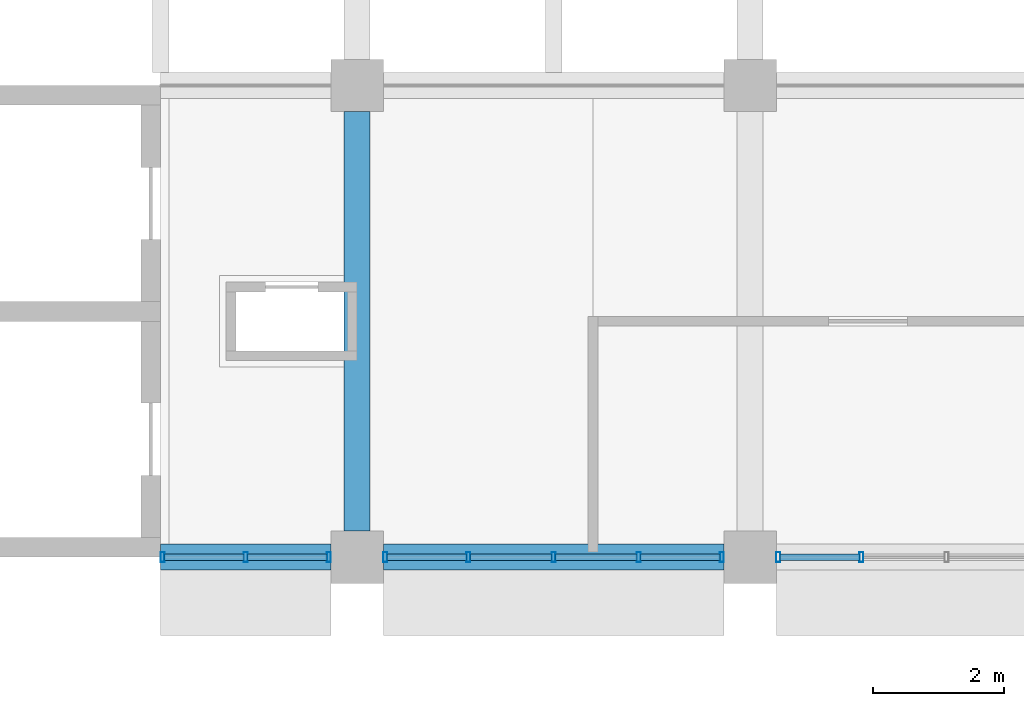
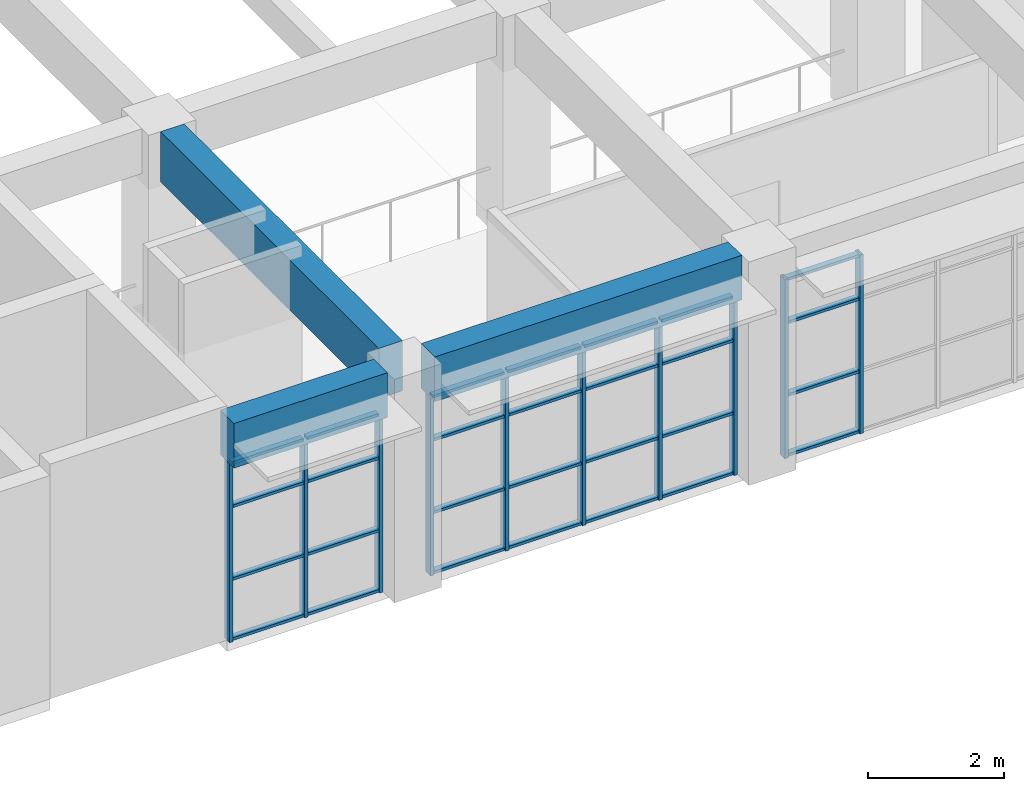
# One storey, part 10 of 47: 38 members, 3 beams, 3 elements without a shape of their own.
"""IFC4 building model written with IfcOpenShell, lengths in metres."""

from ifc_helpers import new_model, si_unit, direction, frame, origin, origin_2d, place, context, subcontext, project, spatial, rectangle, hollow_rectangle, extrude, material, material_profile, profile_set, type_object, element, aggregate, save


model = new_model("IFC4")

# Units and contexts
model_context = context("Model", 3, precision=1e-05, world=origin(), true_north=direction((0.0, 1.0)))
body_context = subcontext(model_context, "Body", "Model", "MODEL_VIEW")
ifc_project = project(units=[si_unit("LENGTHUNIT", "METRE"), si_unit("AREAUNIT", "SQUARE_METRE"), si_unit("VOLUMEUNIT", "CUBIC_METRE"), si_unit("PLANEANGLEUNIT", "RADIAN"), si_unit("MASSUNIT", "GRAM", prefix="KILO")], contexts=[model_context])

# Site, building, storey
site_placement = place(None, origin())
site = spatial("IfcSite", under=ifc_project, at=site_placement, CompositionType="ELEMENT")
building_placement = place(site_placement, origin())
building = spatial("IfcBuilding", under=site, at=building_placement, Name="Laocheng Heights Fire and Rescue Headquarters", CompositionType="ELEMENT")
storey_placement = place(building_placement, frame((0.0, 0.0, 16.800048828125)))
storey = spatial("IfcBuildingStorey", under=building, at=storey_placement, Name="L04", CompositionType="ELEMENT", Elevation=16.800048828125)

# Curtain wall, members
ifc_material_1 = material(Name="Dark anodised aluminium unitised curtain wall, low-e double glazing", Category="aluminium")
curtain_wall_type_1 = type_object("IfcCurtainWallType", Name="CW 2600 x 3200 HQ SOUTH RIBBON", PredefinedType="NOTDEFINED", material=ifc_material_1)
curtain_wall_1_placement = place(storey_placement, origin())
curtain_wall_1 = element("IfcCurtainWall", 1, at=curtain_wall_1_placement, inside=storey, type_object=curtain_wall_type_1, Name="X12-X HQ SOUTH L04", PredefinedType="NOTDEFINED")
ifc_material_2 = material(Name="Dark anodised aluminium 6063-T5 extrusion", Category="aluminium")
ifc_material_profile_1 = material_profile(ifc_material_2, hollow_rectangle(XDim=0.14990234375, YDim=0.06005859375, WallThickness=0.0029296875, at=origin_2d()), Name="AL MULLION 150x60x3 HQ SOUTH RIBBON")
ifc_profile_set_1 = profile_set([ifc_material_profile_1], Name="Dark anodised aluminium 6063-T5 extrusion")
member_type_1 = type_object("IfcMemberType", Name="AL MULLION 150x60x3 HQ SOUTH RIBBON", PredefinedType="MULLION", material=ifc_profile_set_1)
member_1_placement = place(storey_placement, frame((51.030029296875, 50.39990234375, 0.0), z_axis=(0.0, 0.0, 1.0), x_axis=(0.0, 1.0, 0.0)))
member_1 = element("IfcMember", 2, at=member_1_placement, type_object=member_type_1, Name="X12-X mullion 1", PredefinedType="MULLION", context=body_context, shape_type="SweptSolid", body=[
    extrude(hollow_rectangle(XDim=0.14990234375, YDim=0.06005859375, WallThickness=0.0029296875, at=origin_2d()), origin(), (0.0, 0.0, 1.0), 3.199951171875),
])
member_2_placement = place(storey_placement, frame((52.300048828125, 50.39990234375, 0.0), z_axis=(0.0, 0.0, 1.0), x_axis=(0.0, 1.0, 0.0)))
member_2 = element("IfcMember", 3, at=member_2_placement, type_object=member_type_1, Name="X12-X mullion 2", PredefinedType="MULLION", context=body_context, shape_type="SweptSolid", body=[
    extrude(hollow_rectangle(XDim=0.14990234375, YDim=0.06005859375, WallThickness=0.0029296875, at=origin_2d()), origin(), (0.0, 0.0, 1.0), 3.199951171875),
])
member_3_placement = place(storey_placement, frame((53.570068359375, 50.39990234375, 0.0), z_axis=(0.0, 0.0, 1.0), x_axis=(0.0, 1.0, 0.0)))
member_3 = element("IfcMember", 4, at=member_3_placement, type_object=member_type_1, Name="X12-X mullion 3", PredefinedType="MULLION", context=body_context, shape_type="SweptSolid", body=[
    extrude(hollow_rectangle(XDim=0.14990234375, YDim=0.06005859375, WallThickness=0.0029296875, at=origin_2d()), origin(), (0.0, 0.0, 1.0), 3.199951171875),
])

ifc_material_3 = material(Name="Dark anodised aluminium unitised curtain wall, low-e double glazing", Category="aluminium")
curtain_wall_type_2 = type_object("IfcCurtainWallType", Name="CW 5200 x 3200 HQ SOUTH RIBBON", PredefinedType="NOTDEFINED", material=ifc_material_3)
curtain_wall_2_placement = place(storey_placement, origin())
curtain_wall_2 = element("IfcCurtainWall", 5, at=curtain_wall_2_placement, inside=storey, type_object=curtain_wall_type_2, Name="X13-X HQ SOUTH L04", PredefinedType="NOTDEFINED")
member_4_placement = place(storey_placement, frame((54.429931640625, 50.39990234375, 0.0), z_axis=(0.0, 0.0, 1.0), x_axis=(0.0, 1.0, 0.0)))
member_4 = element("IfcMember", 6, at=member_4_placement, type_object=member_type_1, Name="X13-X mullion 1", PredefinedType="MULLION", context=body_context, shape_type="SweptSolid", body=[
    extrude(hollow_rectangle(XDim=0.14990234375, YDim=0.06005859375, WallThickness=0.0029296875, at=origin_2d()), origin(), (0.0, 0.0, 1.0), 3.199951171875),
])
member_5_placement = place(storey_placement, frame((55.699951171875, 50.39990234375, 0.0), z_axis=(0.0, 0.0, 1.0), x_axis=(0.0, 1.0, 0.0)))
member_5 = element("IfcMember", 7, at=member_5_placement, type_object=member_type_1, Name="X13-X mullion 2", PredefinedType="MULLION", context=body_context, shape_type="SweptSolid", body=[
    extrude(hollow_rectangle(XDim=0.14990234375, YDim=0.06005859375, WallThickness=0.0029296875, at=origin_2d()), origin(), (0.0, 0.0, 1.0), 3.199951171875),
])
member_6_placement = place(storey_placement, frame((57.0, 50.39990234375, 0.0), z_axis=(0.0, 0.0, 1.0), x_axis=(0.0, 1.0, 0.0)))
member_6 = element("IfcMember", 8, at=member_6_placement, type_object=member_type_1, Name="X13-X mullion 3", PredefinedType="MULLION", context=body_context, shape_type="SweptSolid", body=[
    extrude(hollow_rectangle(XDim=0.14990234375, YDim=0.06005859375, WallThickness=0.0029296875, at=origin_2d()), origin(), (0.0, 0.0, 1.0), 3.199951171875),
])
member_7_placement = place(storey_placement, frame((58.300048828125, 50.39990234375, 0.0), z_axis=(0.0, 0.0, 1.0), x_axis=(0.0, 1.0, 0.0)))
member_7 = element("IfcMember", 9, at=member_7_placement, type_object=member_type_1, Name="X13-X mullion 4", PredefinedType="MULLION", context=body_context, shape_type="SweptSolid", body=[
    extrude(hollow_rectangle(XDim=0.14990234375, YDim=0.06005859375, WallThickness=0.0029296875, at=origin_2d()), origin(), (0.0, 0.0, 1.0), 3.199951171875),
])
member_8_placement = place(storey_placement, frame((59.570068359375, 50.39990234375, 0.0), z_axis=(0.0, 0.0, 1.0), x_axis=(0.0, 1.0, 0.0)))
member_8 = element("IfcMember", 10, at=member_8_placement, type_object=member_type_1, Name="X13-X mullion 5", PredefinedType="MULLION", context=body_context, shape_type="SweptSolid", body=[
    extrude(hollow_rectangle(XDim=0.14990234375, YDim=0.06005859375, WallThickness=0.0029296875, at=origin_2d()), origin(), (0.0, 0.0, 1.0), 3.199951171875),
])

curtain_wall_3_placement = place(storey_placement, origin())
curtain_wall_3 = element("IfcCurtainWall", 11, at=curtain_wall_3_placement, inside=storey, type_object=curtain_wall_type_2, Name="X13-X HQ SOUTH L04", PredefinedType="NOTDEFINED")
member_9_placement = place(storey_placement, frame((60.429931640625, 50.39990234375, 0.0), z_axis=(0.0, 0.0, 1.0), x_axis=(0.0, 1.0, 0.0)))
member_9 = element("IfcMember", 12, at=member_9_placement, type_object=member_type_1, Name="X13-X mullion 1", PredefinedType="MULLION", context=body_context, shape_type="SweptSolid", body=[
    extrude(hollow_rectangle(XDim=0.14990234375, YDim=0.06005859375, WallThickness=0.0029296875, at=origin_2d()), origin(), (0.0, 0.0, 1.0), 3.199951171875),
])
member_10_placement = place(storey_placement, frame((61.699951171875, 50.39990234375, 0.0), z_axis=(0.0, 0.0, 1.0), x_axis=(0.0, 1.0, 0.0)))
member_10 = element("IfcMember", 13, at=member_10_placement, type_object=member_type_1, Name="X13-X mullion 2", PredefinedType="MULLION", context=body_context, shape_type="SweptSolid", body=[
    extrude(hollow_rectangle(XDim=0.14990234375, YDim=0.06005859375, WallThickness=0.0029296875, at=origin_2d()), origin(), (0.0, 0.0, 1.0), 3.199951171875),
])

# Member
ifc_material_4 = material(Name="Dark anodised aluminium 6063-T5 extrusion", Category="aluminium")
ifc_material_profile_2 = material_profile(ifc_material_4, hollow_rectangle(XDim=0.10009765625, YDim=0.050048828125, WallThickness=0.0029296875, at=origin_2d()), Name="AL TRANSOM 100x50x3 HQ SOUTH RIBBON")
ifc_profile_set_2 = profile_set([ifc_material_profile_2], Name="Dark anodised aluminium 6063-T5 extrusion")
member_type_2 = type_object("IfcMemberType", Name="AL TRANSOM 100x50x3 HQ SOUTH RIBBON", PredefinedType="USERDEFINED", material=ifc_profile_set_2)
member_11_placement = place(storey_placement, frame((51.06005859375, 50.39990234375, 0.02490234375), z_axis=(1.0, 0.0, 0.0), x_axis=(0.0, 1.0, 0.0)))
member_11 = element("IfcMember", 14, at=member_11_placement, type_object=member_type_2, Name="X12-X transom 1.1", ObjectType="TRANSOM", PredefinedType="USERDEFINED", context=body_context, shape_type="SweptSolid", body=[
    extrude(hollow_rectangle(XDim=0.10009765625, YDim=0.050048828125, WallThickness=0.0029296875, at=origin_2d()), origin(), (0.0, 0.0, 1.0), 1.2099609375),
])

member_12_placement = place(storey_placement, frame((51.06005859375, 50.39990234375, 1.099853515625), z_axis=(1.0, 0.0, 0.0), x_axis=(0.0, 1.0, 0.0)))
member_12 = element("IfcMember", 15, at=member_12_placement, type_object=member_type_2, Name="X12-X transom 1.2", ObjectType="TRANSOM", PredefinedType="USERDEFINED", context=body_context, shape_type="SweptSolid", body=[
    extrude(hollow_rectangle(XDim=0.10009765625, YDim=0.050048828125, WallThickness=0.0029296875, at=origin_2d()), origin(), (0.0, 0.0, 1.0), 1.2099609375),
])

member_13_placement = place(storey_placement, frame((51.06005859375, 50.39990234375, 2.39990234375), z_axis=(1.0, 0.0, 0.0), x_axis=(0.0, 1.0, 0.0)))
member_13 = element("IfcMember", 16, at=member_13_placement, type_object=member_type_2, Name="X12-X transom 1.3", ObjectType="TRANSOM", PredefinedType="USERDEFINED", context=body_context, shape_type="SweptSolid", body=[
    extrude(hollow_rectangle(XDim=0.10009765625, YDim=0.050048828125, WallThickness=0.0029296875, at=origin_2d()), origin(), (0.0, 0.0, 1.0), 1.2099609375),
])

member_14_placement = place(storey_placement, frame((51.06005859375, 50.39990234375, 3.175048828125), z_axis=(1.0, 0.0, 0.0), x_axis=(0.0, 1.0, 0.0)))
member_14 = element("IfcMember", 17, at=member_14_placement, type_object=member_type_2, Name="X12-X transom 1.4", ObjectType="TRANSOM", PredefinedType="USERDEFINED", context=body_context, shape_type="SweptSolid", body=[
    extrude(hollow_rectangle(XDim=0.10009765625, YDim=0.050048828125, WallThickness=0.0029296875, at=origin_2d()), origin(), (0.0, 0.0, 1.0), 1.2099609375),
])

member_15_placement = place(storey_placement, frame((52.330078125, 50.39990234375, 0.02490234375), z_axis=(1.0, 0.0, 0.0), x_axis=(0.0, 1.0, 0.0)))
member_15 = element("IfcMember", 18, at=member_15_placement, type_object=member_type_2, Name="X12-X transom 2.1", ObjectType="TRANSOM", PredefinedType="USERDEFINED", context=body_context, shape_type="SweptSolid", body=[
    extrude(hollow_rectangle(XDim=0.10009765625, YDim=0.050048828125, WallThickness=0.0029296875, at=origin_2d()), origin(), (0.0, 0.0, 1.0), 1.2099609375),
])

member_16_placement = place(storey_placement, frame((52.330078125, 50.39990234375, 1.099853515625), z_axis=(1.0, 0.0, 0.0), x_axis=(0.0, 1.0, 0.0)))
member_16 = element("IfcMember", 19, at=member_16_placement, type_object=member_type_2, Name="X12-X transom 2.2", ObjectType="TRANSOM", PredefinedType="USERDEFINED", context=body_context, shape_type="SweptSolid", body=[
    extrude(hollow_rectangle(XDim=0.10009765625, YDim=0.050048828125, WallThickness=0.0029296875, at=origin_2d()), origin(), (0.0, 0.0, 1.0), 1.2099609375),
])

member_17_placement = place(storey_placement, frame((52.330078125, 50.39990234375, 2.39990234375), z_axis=(1.0, 0.0, 0.0), x_axis=(0.0, 1.0, 0.0)))
member_17 = element("IfcMember", 20, at=member_17_placement, type_object=member_type_2, Name="X12-X transom 2.3", ObjectType="TRANSOM", PredefinedType="USERDEFINED", context=body_context, shape_type="SweptSolid", body=[
    extrude(hollow_rectangle(XDim=0.10009765625, YDim=0.050048828125, WallThickness=0.0029296875, at=origin_2d()), origin(), (0.0, 0.0, 1.0), 1.2099609375),
])

member_18_placement = place(storey_placement, frame((52.330078125, 50.39990234375, 3.175048828125), z_axis=(1.0, 0.0, 0.0), x_axis=(0.0, 1.0, 0.0)))
member_18 = element("IfcMember", 21, at=member_18_placement, type_object=member_type_2, Name="X12-X transom 2.4", ObjectType="TRANSOM", PredefinedType="USERDEFINED", context=body_context, shape_type="SweptSolid", body=[
    extrude(hollow_rectangle(XDim=0.10009765625, YDim=0.050048828125, WallThickness=0.0029296875, at=origin_2d()), origin(), (0.0, 0.0, 1.0), 1.2099609375),
])

aggregate(curtain_wall_1, [member_1, member_2, member_3, member_11, member_12, member_13, member_14, member_15, member_16, member_17, member_18])

member_19_placement = place(storey_placement, frame((54.4599609375, 50.39990234375, 0.02490234375), z_axis=(1.0, 0.0, 0.0), x_axis=(0.0, 1.0, 0.0)))
member_19 = element("IfcMember", 22, at=member_19_placement, type_object=member_type_2, Name="X13-X transom 1.1", ObjectType="TRANSOM", PredefinedType="USERDEFINED", context=body_context, shape_type="SweptSolid", body=[
    extrude(hollow_rectangle(XDim=0.10009765625, YDim=0.050048828125, WallThickness=0.0029296875, at=origin_2d()), origin(), (0.0, 0.0, 1.0), 1.2099609375),
])

member_20_placement = place(storey_placement, frame((54.4599609375, 50.39990234375, 1.099853515625), z_axis=(1.0, 0.0, 0.0), x_axis=(0.0, 1.0, 0.0)))
member_20 = element("IfcMember", 23, at=member_20_placement, type_object=member_type_2, Name="X13-X transom 1.2", ObjectType="TRANSOM", PredefinedType="USERDEFINED", context=body_context, shape_type="SweptSolid", body=[
    extrude(hollow_rectangle(XDim=0.10009765625, YDim=0.050048828125, WallThickness=0.0029296875, at=origin_2d()), origin(), (0.0, 0.0, 1.0), 1.2099609375),
])

member_21_placement = place(storey_placement, frame((54.4599609375, 50.39990234375, 2.39990234375), z_axis=(1.0, 0.0, 0.0), x_axis=(0.0, 1.0, 0.0)))
member_21 = element("IfcMember", 24, at=member_21_placement, type_object=member_type_2, Name="X13-X transom 1.3", ObjectType="TRANSOM", PredefinedType="USERDEFINED", context=body_context, shape_type="SweptSolid", body=[
    extrude(hollow_rectangle(XDim=0.10009765625, YDim=0.050048828125, WallThickness=0.0029296875, at=origin_2d()), origin(), (0.0, 0.0, 1.0), 1.2099609375),
])

member_22_placement = place(storey_placement, frame((54.4599609375, 50.39990234375, 3.175048828125), z_axis=(1.0, 0.0, 0.0), x_axis=(0.0, 1.0, 0.0)))
member_22 = element("IfcMember", 25, at=member_22_placement, type_object=member_type_2, Name="X13-X transom 1.4", ObjectType="TRANSOM", PredefinedType="USERDEFINED", context=body_context, shape_type="SweptSolid", body=[
    extrude(hollow_rectangle(XDim=0.10009765625, YDim=0.050048828125, WallThickness=0.0029296875, at=origin_2d()), origin(), (0.0, 0.0, 1.0), 1.2099609375),
])

member_23_placement = place(storey_placement, frame((55.72998046875, 50.39990234375, 0.02490234375), z_axis=(1.0, 0.0, 0.0), x_axis=(0.0, 1.0, 0.0)))
member_23 = element("IfcMember", 26, at=member_23_placement, type_object=member_type_2, Name="X13-X transom 2.1", ObjectType="TRANSOM", PredefinedType="USERDEFINED", context=body_context, shape_type="SweptSolid", body=[
    extrude(hollow_rectangle(XDim=0.10009765625, YDim=0.050048828125, WallThickness=0.0029296875, at=origin_2d()), origin(), (0.0, 0.0, 1.0), 1.239990234375),
])

member_24_placement = place(storey_placement, frame((55.72998046875, 50.39990234375, 1.099853515625), z_axis=(1.0, 0.0, 0.0), x_axis=(0.0, 1.0, 0.0)))
member_24 = element("IfcMember", 27, at=member_24_placement, type_object=member_type_2, Name="X13-X transom 2.2", ObjectType="TRANSOM", PredefinedType="USERDEFINED", context=body_context, shape_type="SweptSolid", body=[
    extrude(hollow_rectangle(XDim=0.10009765625, YDim=0.050048828125, WallThickness=0.0029296875, at=origin_2d()), origin(), (0.0, 0.0, 1.0), 1.239990234375),
])

member_25_placement = place(storey_placement, frame((55.72998046875, 50.39990234375, 2.39990234375), z_axis=(1.0, 0.0, 0.0), x_axis=(0.0, 1.0, 0.0)))
member_25 = element("IfcMember", 28, at=member_25_placement, type_object=member_type_2, Name="X13-X transom 2.3", ObjectType="TRANSOM", PredefinedType="USERDEFINED", context=body_context, shape_type="SweptSolid", body=[
    extrude(hollow_rectangle(XDim=0.10009765625, YDim=0.050048828125, WallThickness=0.0029296875, at=origin_2d()), origin(), (0.0, 0.0, 1.0), 1.239990234375),
])

member_26_placement = place(storey_placement, frame((55.72998046875, 50.39990234375, 3.175048828125), z_axis=(1.0, 0.0, 0.0), x_axis=(0.0, 1.0, 0.0)))
member_26 = element("IfcMember", 29, at=member_26_placement, type_object=member_type_2, Name="X13-X transom 2.4", ObjectType="TRANSOM", PredefinedType="USERDEFINED", context=body_context, shape_type="SweptSolid", body=[
    extrude(hollow_rectangle(XDim=0.10009765625, YDim=0.050048828125, WallThickness=0.0029296875, at=origin_2d()), origin(), (0.0, 0.0, 1.0), 1.239990234375),
])

member_27_placement = place(storey_placement, frame((57.030029296875, 50.39990234375, 0.02490234375), z_axis=(1.0, 0.0, 0.0), x_axis=(0.0, 1.0, 0.0)))
member_27 = element("IfcMember", 30, at=member_27_placement, type_object=member_type_2, Name="X13-X transom 3.1", ObjectType="TRANSOM", PredefinedType="USERDEFINED", context=body_context, shape_type="SweptSolid", body=[
    extrude(hollow_rectangle(XDim=0.10009765625, YDim=0.050048828125, WallThickness=0.0029296875, at=origin_2d()), origin(), (0.0, 0.0, 1.0), 1.239990234375),
])

member_28_placement = place(storey_placement, frame((57.030029296875, 50.39990234375, 1.099853515625), z_axis=(1.0, 0.0, 0.0), x_axis=(0.0, 1.0, 0.0)))
member_28 = element("IfcMember", 31, at=member_28_placement, type_object=member_type_2, Name="X13-X transom 3.2", ObjectType="TRANSOM", PredefinedType="USERDEFINED", context=body_context, shape_type="SweptSolid", body=[
    extrude(hollow_rectangle(XDim=0.10009765625, YDim=0.050048828125, WallThickness=0.0029296875, at=origin_2d()), origin(), (0.0, 0.0, 1.0), 1.239990234375),
])

member_29_placement = place(storey_placement, frame((57.030029296875, 50.39990234375, 2.39990234375), z_axis=(1.0, 0.0, 0.0), x_axis=(0.0, 1.0, 0.0)))
member_29 = element("IfcMember", 32, at=member_29_placement, type_object=member_type_2, Name="X13-X transom 3.3", ObjectType="TRANSOM", PredefinedType="USERDEFINED", context=body_context, shape_type="SweptSolid", body=[
    extrude(hollow_rectangle(XDim=0.10009765625, YDim=0.050048828125, WallThickness=0.0029296875, at=origin_2d()), origin(), (0.0, 0.0, 1.0), 1.239990234375),
])

member_30_placement = place(storey_placement, frame((57.030029296875, 50.39990234375, 3.175048828125), z_axis=(1.0, 0.0, 0.0), x_axis=(0.0, 1.0, 0.0)))
member_30 = element("IfcMember", 33, at=member_30_placement, type_object=member_type_2, Name="X13-X transom 3.4", ObjectType="TRANSOM", PredefinedType="USERDEFINED", context=body_context, shape_type="SweptSolid", body=[
    extrude(hollow_rectangle(XDim=0.10009765625, YDim=0.050048828125, WallThickness=0.0029296875, at=origin_2d()), origin(), (0.0, 0.0, 1.0), 1.239990234375),
])

member_31_placement = place(storey_placement, frame((58.330078125, 50.39990234375, 0.02490234375), z_axis=(1.0, 0.0, 0.0), x_axis=(0.0, 1.0, 0.0)))
member_31 = element("IfcMember", 34, at=member_31_placement, type_object=member_type_2, Name="X13-X transom 4.1", ObjectType="TRANSOM", PredefinedType="USERDEFINED", context=body_context, shape_type="SweptSolid", body=[
    extrude(hollow_rectangle(XDim=0.10009765625, YDim=0.050048828125, WallThickness=0.0029296875, at=origin_2d()), origin(), (0.0, 0.0, 1.0), 1.2099609375),
])

member_32_placement = place(storey_placement, frame((58.330078125, 50.39990234375, 1.099853515625), z_axis=(1.0, 0.0, 0.0), x_axis=(0.0, 1.0, 0.0)))
member_32 = element("IfcMember", 35, at=member_32_placement, type_object=member_type_2, Name="X13-X transom 4.2", ObjectType="TRANSOM", PredefinedType="USERDEFINED", context=body_context, shape_type="SweptSolid", body=[
    extrude(hollow_rectangle(XDim=0.10009765625, YDim=0.050048828125, WallThickness=0.0029296875, at=origin_2d()), origin(), (0.0, 0.0, 1.0), 1.2099609375),
])

member_33_placement = place(storey_placement, frame((58.330078125, 50.39990234375, 2.39990234375), z_axis=(1.0, 0.0, 0.0), x_axis=(0.0, 1.0, 0.0)))
member_33 = element("IfcMember", 36, at=member_33_placement, type_object=member_type_2, Name="X13-X transom 4.3", ObjectType="TRANSOM", PredefinedType="USERDEFINED", context=body_context, shape_type="SweptSolid", body=[
    extrude(hollow_rectangle(XDim=0.10009765625, YDim=0.050048828125, WallThickness=0.0029296875, at=origin_2d()), origin(), (0.0, 0.0, 1.0), 1.2099609375),
])

member_34_placement = place(storey_placement, frame((58.330078125, 50.39990234375, 3.175048828125), z_axis=(1.0, 0.0, 0.0), x_axis=(0.0, 1.0, 0.0)))
member_34 = element("IfcMember", 37, at=member_34_placement, type_object=member_type_2, Name="X13-X transom 4.4", ObjectType="TRANSOM", PredefinedType="USERDEFINED", context=body_context, shape_type="SweptSolid", body=[
    extrude(hollow_rectangle(XDim=0.10009765625, YDim=0.050048828125, WallThickness=0.0029296875, at=origin_2d()), origin(), (0.0, 0.0, 1.0), 1.2099609375),
])

aggregate(curtain_wall_2, [member_4, member_5, member_6, member_7, member_8, member_19, member_20, member_21, member_22, member_23, member_24, member_25, member_26, member_27, member_28, member_29, member_30, member_31, member_32, member_33, member_34])

member_35_placement = place(storey_placement, frame((60.4599609375, 50.39990234375, 0.02490234375), z_axis=(1.0, 0.0, 0.0), x_axis=(0.0, 1.0, 0.0)))
member_35 = element("IfcMember", 38, at=member_35_placement, type_object=member_type_2, Name="X13-X transom 1.1", ObjectType="TRANSOM", PredefinedType="USERDEFINED", context=body_context, shape_type="SweptSolid", body=[
    extrude(hollow_rectangle(XDim=0.10009765625, YDim=0.050048828125, WallThickness=0.0029296875, at=origin_2d()), origin(), (0.0, 0.0, 1.0), 1.2099609375),
])

member_36_placement = place(storey_placement, frame((60.4599609375, 50.39990234375, 1.099853515625), z_axis=(1.0, 0.0, 0.0), x_axis=(0.0, 1.0, 0.0)))
member_36 = element("IfcMember", 39, at=member_36_placement, type_object=member_type_2, Name="X13-X transom 1.2", ObjectType="TRANSOM", PredefinedType="USERDEFINED", context=body_context, shape_type="SweptSolid", body=[
    extrude(hollow_rectangle(XDim=0.10009765625, YDim=0.050048828125, WallThickness=0.0029296875, at=origin_2d()), origin(), (0.0, 0.0, 1.0), 1.2099609375),
])

member_37_placement = place(storey_placement, frame((60.4599609375, 50.39990234375, 2.39990234375), z_axis=(1.0, 0.0, 0.0), x_axis=(0.0, 1.0, 0.0)))
member_37 = element("IfcMember", 40, at=member_37_placement, type_object=member_type_2, Name="X13-X transom 1.3", ObjectType="TRANSOM", PredefinedType="USERDEFINED", context=body_context, shape_type="SweptSolid", body=[
    extrude(hollow_rectangle(XDim=0.10009765625, YDim=0.050048828125, WallThickness=0.0029296875, at=origin_2d()), origin(), (0.0, 0.0, 1.0), 1.2099609375),
])

member_38_placement = place(storey_placement, frame((60.4599609375, 50.39990234375, 3.175048828125), z_axis=(1.0, 0.0, 0.0), x_axis=(0.0, 1.0, 0.0)))
member_38 = element("IfcMember", 41, at=member_38_placement, type_object=member_type_2, Name="X13-X transom 1.4", ObjectType="TRANSOM", PredefinedType="USERDEFINED", context=body_context, shape_type="SweptSolid", body=[
    extrude(hollow_rectangle(XDim=0.10009765625, YDim=0.050048828125, WallThickness=0.0029296875, at=origin_2d()), origin(), (0.0, 0.0, 1.0), 1.2099609375),
])

aggregate(curtain_wall_3, [member_9, member_10, member_35, member_36, member_37, member_38])

# Beams
ifc_material_5 = material(Name="Concrete C40", Category="concrete")
ifc_material_profile_3 = material_profile(ifc_material_5, rectangle(XDim=0.39990234375, YDim=0.800048828125, at=origin_2d()), Name="RC BEAM 400x800 HQ")
ifc_profile_set_3 = profile_set([ifc_material_profile_3], Name="Concrete C40")
beam_type_1 = type_object("IfcBeamType", Name="RC BEAM 400x800 HQ", PredefinedType="BEAM", material=ifc_profile_set_3)
beam_1_placement = place(storey_placement, frame((51.0, 50.39990234375, 3.599853515625), z_axis=(1.0, 0.0, 0.0), x_axis=(0.0, 1.0, 0.0)))
element("IfcBeam", 42, at=beam_1_placement, inside=storey, type_object=beam_type_1, Name="HQ beam L04", PredefinedType="BEAM", context=body_context, shape_type="SweptSolid", body=[
    extrude(rectangle(XDim=0.39990234375, YDim=0.800048828125, at=origin_2d()), origin(), (0.0, 0.0, 1.0), 2.60009765625),
])
beam_2_placement = place(storey_placement, frame((54.39990234375, 50.39990234375, 3.599853515625), z_axis=(1.0, 0.0, 0.0), x_axis=(0.0, 1.0, 0.0)))
element("IfcBeam", 43, at=beam_2_placement, inside=storey, type_object=beam_type_1, Name="HQ beam L04", PredefinedType="BEAM", context=body_context, shape_type="SweptSolid", body=[
    extrude(rectangle(XDim=0.39990234375, YDim=0.800048828125, at=origin_2d()), origin(), (0.0, 0.0, 1.0), 5.2001953125),
])
ifc_material_6 = material(Name="Concrete C40", Category="concrete")
ifc_material_profile_4 = material_profile(ifc_material_6, rectangle(XDim=0.39990234375, YDim=0.89990234375, at=origin_2d()), Name="RC BEAM 400x900 HQ")
ifc_profile_set_4 = profile_set([ifc_material_profile_4], Name="Concrete C40")
beam_type_2 = type_object("IfcBeamType", Name="RC BEAM 400x900 HQ", PredefinedType="BEAM", material=ifc_profile_set_4)
beam_3_placement = place(storey_placement, frame((54.0, 50.800048828125, 3.550048828125), z_axis=(0.0, 1.0, 0.0), x_axis=(-1.0, 0.0, 0.0)))
element("IfcBeam", 44, at=beam_3_placement, inside=storey, type_object=beam_type_2, Name="HQ beam L04", PredefinedType="BEAM", context=body_context, shape_type="SweptSolid", body=[
    extrude(rectangle(XDim=0.39990234375, YDim=0.89990234375, at=origin_2d()), origin(), (0.0, 0.0, 1.0), 6.39990234375),
])

save(model, "model.ifc")
